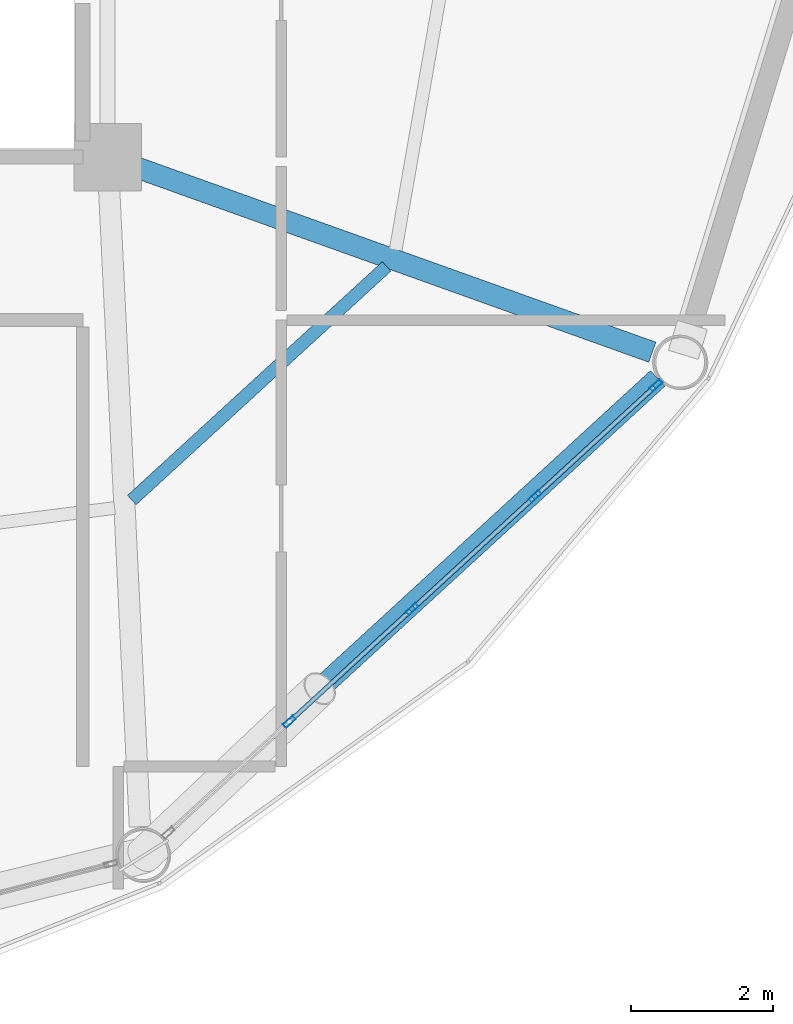
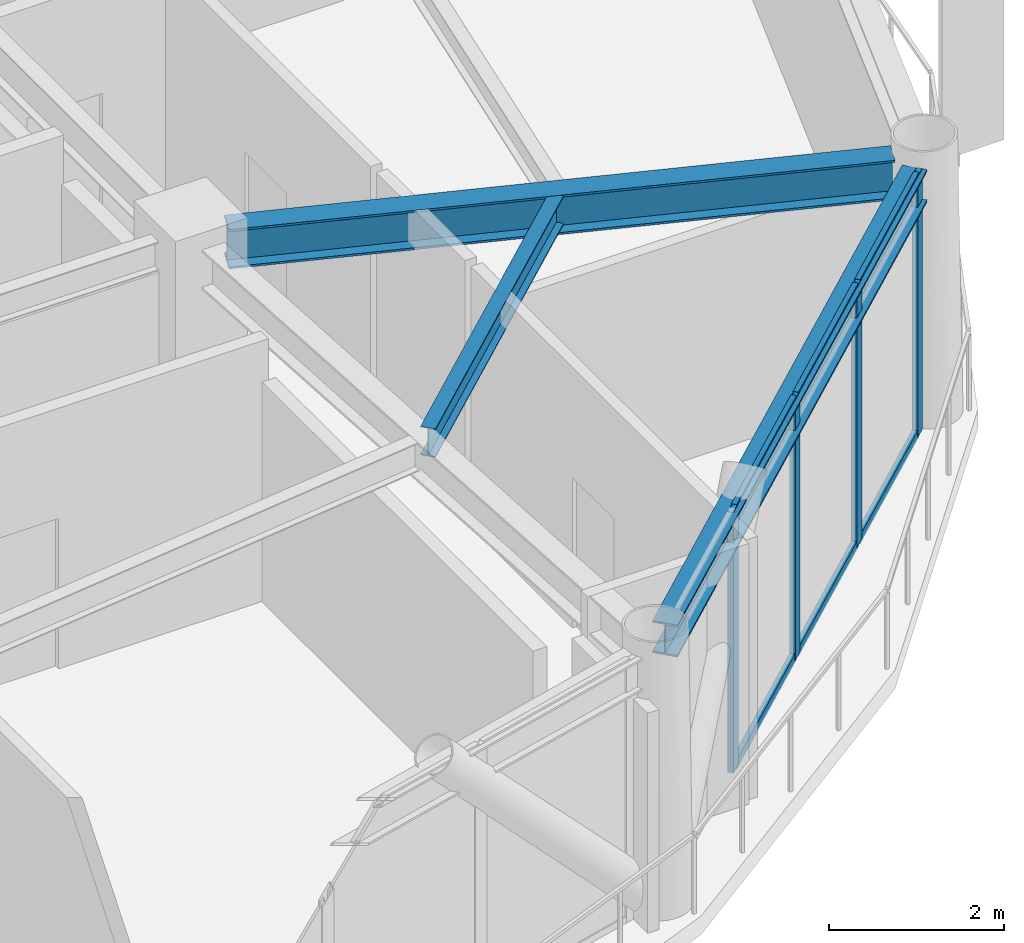
# One storey, part 13 of 25: 10 members, 3 beams, 1 element without a shape of its own.
"""IFC4 building model written with IfcOpenShell, lengths in metres."""

from ifc_helpers import new_model, si_unit, direction, frame, origin, origin_2d, place, context, subcontext, project, spatial, hollow_rectangle, i_section, extrude, material, layer, layer_set, material_profile, profile_set, type_object, element, aggregate, save


model = new_model("IFC4")

# Units and contexts
model_context = context("Model", 3, precision=1e-05, world=origin(), true_north=direction((0.0, 1.0)))
body_context = subcontext(model_context, "Body", "Model", "MODEL_VIEW")
ifc_project = project(units=[si_unit("LENGTHUNIT", "METRE"), si_unit("AREAUNIT", "SQUARE_METRE"), si_unit("VOLUMEUNIT", "CUBIC_METRE"), si_unit("PLANEANGLEUNIT", "RADIAN"), si_unit("MASSUNIT", "GRAM", prefix="KILO")], contexts=[model_context])

# Site, building, storey
site_placement = place(None, origin())
site = spatial("IfcSite", under=ifc_project, at=site_placement, CompositionType="ELEMENT")
building_placement = place(site_placement, origin())
building = spatial("IfcBuilding", under=site, at=building_placement, Name="Varnakorn Sky Granary", CompositionType="ELEMENT")
storey_placement = place(building_placement, frame((0.0, 0.0, 146.10009765625)))
storey = spatial("IfcBuildingStorey", under=building, at=storey_placement, Name="L36", CompositionType="ELEMENT", Elevation=146.10009765625)

# Beams
ifc_material_1 = material(Name="Steel S355JR", Category="steel")
ifc_material_profile_1 = material_profile(ifc_material_1, i_section(OverallWidth=0.300048828125, OverallDepth=0.550048828125, WebThickness=0.014892578125, FlangeThickness=0.029052734375, at=origin_2d()), Name="HE 550 B")
ifc_profile_set_1 = profile_set([ifc_material_profile_1], Name="Steel S355JR")
beam_type_1 = type_object("IfcBeamType", Name="BM-RAD-Z3", PredefinedType="BEAM", material=ifc_profile_set_1)
beam_1_placement = place(storey_placement, frame((8.745361328125, -6.74169921875, 3.364990234375), z_axis=(0.941449877469, -0.3371529745, 0.0), x_axis=(0.3371529745, 0.941449877469, 0.0)))
element("IfcBeam", 1, at=beam_1_placement, inside=storey, type_object=beam_type_1, Name="Radial Floor Girder RG12 L36", PredefinedType="BEAM", context=body_context, shape_type="SweptSolid", body=[
    extrude(i_section(OverallWidth=0.300048828125, OverallDepth=0.550048828125, WebThickness=0.014892578125, FlangeThickness=0.029052734375, at=origin_2d()), origin(), (0.0, 0.0, 1.0), 7.7451171875),
])
ifc_material_profile_2 = material_profile(ifc_material_1, i_section(OverallWidth=0.179931640625, OverallDepth=0.39990234375, WebThickness=0.008544921875, FlangeThickness=0.013427734375, at=origin_2d()), Name="IPE 400")
ifc_profile_set_2 = profile_set([ifc_material_profile_2], Name="Steel S355JR")
beam_type_2 = type_object("IfcBeamType", Name="BM-SEC-Z3", PredefinedType="BEAM", material=ifc_profile_set_2)
beam_2_placement = place(storey_placement, frame((8.69140625, -11.439208984375, 3.43994140625), z_axis=(0.737137524088, 0.675742754738, 0.0), x_axis=(-0.675742754738, 0.737137524088, 0.0)))
element("IfcBeam", 2, at=beam_2_placement, inside=storey, type_object=beam_type_2, Name="Secondary Floor Chord Beam MSB11 L36", PredefinedType="BEAM", context=body_context, shape_type="SweptSolid", body=[
    extrude(i_section(OverallWidth=0.179931640625, OverallDepth=0.39990234375, WebThickness=0.008544921875, FlangeThickness=0.013427734375, at=origin_2d()), origin(), (0.0, 0.0, 1.0), 4.879150390625),
])
ifc_material_profile_3 = material_profile(ifc_material_1, i_section(OverallWidth=0.300048828125, OverallDepth=0.449951171875, WebThickness=0.013916015625, FlangeThickness=0.02587890625, at=origin_2d()), Name="HE 450 B")
ifc_profile_set_3 = profile_set([ifc_material_profile_3], Name="Steel S355JR")
beam_type_3 = type_object("IfcBeamType", Name="BM-SPD-Z3", PredefinedType="SPANDREL", material=ifc_profile_set_3)
beam_3_placement = place(storey_placement, frame((9.093505859375, -16.166259765625, 3.414794921875), z_axis=(0.736711465157, 0.67620722941, 0.0), x_axis=(-0.67620722941, 0.736711465157, 0.0)))
element("IfcBeam", 3, at=beam_3_placement, inside=storey, type_object=beam_type_3, Name="Perimeter Spandrel Ring Beam RB11 L36", PredefinedType="SPANDREL", context=body_context, shape_type="SweptSolid", body=[
    extrude(i_section(OverallWidth=0.300048828125, OverallDepth=0.449951171875, WebThickness=0.013916015625, FlangeThickness=0.02587890625, at=origin_2d()), origin(), (0.0, 0.0, 1.0), 9.52685546875),
])

# Curtain wall, members
ifc_material_2 = material(Name="Anodised Bronze Aluminium Alloy 6063-T6", Category="aluminium")
ifc_layer = layer(ifc_material_2, 0.179931640625, Name="Anodised Bronze Aluminium Alloy 6063-T6")
ifc_layer_set = layer_set([ifc_layer], Name="Anodised Bronze Aluminium Alloy 6063-T6")
curtain_wall_type = type_object("IfcCurtainWallType", Name="CW-FRM-2", PredefinedType="USERDEFINED", material=ifc_layer_set)
curtain_wall_placement = place(storey_placement, origin())
curtain_wall = element("IfcCurtainWall", 4, at=curtain_wall_placement, inside=storey, type_object=curtain_wall_type, Name="Unitised Curtain Wall CW4 CW-L36-B11", ObjectType="CURTAIN WALL", PredefinedType="USERDEFINED")
ifc_material_profile_4 = material_profile(ifc_material_2, hollow_rectangle(XDim=0.070068359375, YDim=0.18505859375, WallThickness=0.00390625, at=origin_2d()), Name="ALU MULL 70x185")
ifc_profile_set_4 = profile_set([ifc_material_profile_4], Name="Anodised Bronze Aluminium Alloy 6063-T6")
member_type_1 = type_object("IfcMemberType", Name="CW-FRM-2-MULL", PredefinedType="MULLION", material=ifc_profile_set_4)
member_1_placement = place(storey_placement, frame((16.0888671875, -9.822265625, 0.0), z_axis=(0.0, 0.0, 1.0), x_axis=(0.675960473988, -0.736937879069, 0.0)))
member_1 = element("IfcMember", 5, at=member_1_placement, type_object=member_type_1, Name="CW4 mullion 1", PredefinedType="MULLION", context=body_context, shape_type="SweptSolid", body=[
    extrude(hollow_rectangle(XDim=0.070068359375, YDim=0.18505859375, WallThickness=0.00390625, at=origin_2d()), origin(), (0.0, 0.0, 1.0), 3.639892578125),
])
member_2_placement = place(storey_placement, frame((14.381591796875, -11.38818359375, 0.0), z_axis=(0.0, 0.0, 1.0), x_axis=(0.675960473988, -0.736937879069, 0.0)))
member_2 = element("IfcMember", 6, at=member_2_placement, type_object=member_type_1, Name="CW4 mullion 2", PredefinedType="MULLION", context=body_context, shape_type="SweptSolid", body=[
    extrude(hollow_rectangle(XDim=0.070068359375, YDim=0.18505859375, WallThickness=0.00390625, at=origin_2d()), origin(), (0.0, 0.0, 1.0), 3.639892578125),
])
member_3_placement = place(storey_placement, frame((12.648681640625, -12.977783203125, 0.0), z_axis=(0.0, 0.0, 1.0), x_axis=(0.675960473988, -0.736937879069, 0.0)))
member_3 = element("IfcMember", 7, at=member_3_placement, type_object=member_type_1, Name="CW4 mullion 3", PredefinedType="MULLION", context=body_context, shape_type="SweptSolid", body=[
    extrude(hollow_rectangle(XDim=0.070068359375, YDim=0.18505859375, WallThickness=0.00390625, at=origin_2d()), origin(), (0.0, 0.0, 1.0), 3.639892578125),
])
member_4_placement = place(storey_placement, frame((10.91552734375, -14.567626953125, 0.0), z_axis=(0.0, 0.0, 1.0), x_axis=(0.675960473988, -0.736937879069, 0.0)))
member_4 = element("IfcMember", 8, at=member_4_placement, type_object=member_type_1, Name="CW4 mullion 4", PredefinedType="MULLION", context=body_context, shape_type="SweptSolid", body=[
    extrude(hollow_rectangle(XDim=0.070068359375, YDim=0.18505859375, WallThickness=0.00390625, at=origin_2d()), origin(), (0.0, 0.0, 1.0), 3.639892578125),
])
ifc_material_profile_5 = material_profile(ifc_material_2, hollow_rectangle(XDim=0.06494140625, YDim=0.1201171875, WallThickness=0.00341796875, at=origin_2d()), Name="ALU TRAN 65x120")
ifc_profile_set_5 = profile_set([ifc_material_profile_5], Name="Anodised Bronze Aluminium Alloy 6063-T6")
member_type_2 = type_object("IfcMemberType", Name="CW-FRM-2-TRAN", PredefinedType="USERDEFINED", material=ifc_profile_set_5)
member_5_placement = place(storey_placement, frame((16.063232421875, -9.845947265625, 0.032470703125), z_axis=(-0.736982708945, -0.67591159682, 0.0), x_axis=(0.67591159682, -0.736982708945, 0.0)))
member_5 = element("IfcMember", 9, at=member_5_placement, type_object=member_type_2, Name="CW4 transom 1.1", ObjectType="TRANSOM", PredefinedType="USERDEFINED", context=body_context, shape_type="SweptSolid", body=[
    extrude(hollow_rectangle(XDim=0.06494140625, YDim=0.1201171875, WallThickness=0.00341796875, at=origin_2d()), origin(), (0.0, 0.0, 1.0), 2.24658203125),
])
member_6_placement = place(storey_placement, frame((16.063232421875, -9.845947265625, 3.607421875), z_axis=(-0.736982708945, -0.67591159682, 0.0), x_axis=(0.67591159682, -0.736982708945, 0.0)))
member_6 = element("IfcMember", 10, at=member_6_placement, type_object=member_type_2, Name="CW4 transom 1.2", ObjectType="TRANSOM", PredefinedType="USERDEFINED", context=body_context, shape_type="SweptSolid", body=[
    extrude(hollow_rectangle(XDim=0.06494140625, YDim=0.1201171875, WallThickness=0.00341796875, at=origin_2d()), origin(), (0.0, 0.0, 1.0), 2.24658203125),
])
member_7_placement = place(storey_placement, frame((14.35595703125, -11.411865234375, 0.032470703125), z_axis=(-0.736940932781, -0.675957144789, 0.0), x_axis=(0.675957144789, -0.736940932781, 0.0)))
member_7 = element("IfcMember", 11, at=member_7_placement, type_object=member_type_2, Name="CW4 transom 2.1", ObjectType="TRANSOM", PredefinedType="USERDEFINED", context=body_context, shape_type="SweptSolid", body=[
    extrude(hollow_rectangle(XDim=0.06494140625, YDim=0.1201171875, WallThickness=0.00341796875, at=origin_2d()), origin(), (0.0, 0.0, 1.0), 2.281982421875),
])
member_8_placement = place(storey_placement, frame((14.35595703125, -11.411865234375, 3.607421875), z_axis=(-0.736940932781, -0.675957144789, 0.0), x_axis=(0.675957144789, -0.736940932781, 0.0)))
member_8 = element("IfcMember", 12, at=member_8_placement, type_object=member_type_2, Name="CW4 transom 2.2", ObjectType="TRANSOM", PredefinedType="USERDEFINED", context=body_context, shape_type="SweptSolid", body=[
    extrude(hollow_rectangle(XDim=0.06494140625, YDim=0.1201171875, WallThickness=0.00341796875, at=origin_2d()), origin(), (0.0, 0.0, 1.0), 2.281982421875),
])
member_9_placement = place(storey_placement, frame((12.622802734375, -13.00146484375, 0.032470703125), z_axis=(-0.736892041746, -0.676010442827, 0.0), x_axis=(0.676010442827, -0.736892041746, 0.0)))
member_9 = element("IfcMember", 13, at=member_9_placement, type_object=member_type_2, Name="CW4 transom 3.1", ObjectType="TRANSOM", PredefinedType="USERDEFINED", context=body_context, shape_type="SweptSolid", body=[
    extrude(hollow_rectangle(XDim=0.06494140625, YDim=0.1201171875, WallThickness=0.00341796875, at=origin_2d()), origin(), (0.0, 0.0, 1.0), 2.28173828125),
])
member_10_placement = place(storey_placement, frame((12.622802734375, -13.00146484375, 3.607421875), z_axis=(-0.736892041746, -0.676010442827, 0.0), x_axis=(0.676010442827, -0.736892041746, 0.0)))
member_10 = element("IfcMember", 14, at=member_10_placement, type_object=member_type_2, Name="CW4 transom 3.2", ObjectType="TRANSOM", PredefinedType="USERDEFINED", context=body_context, shape_type="SweptSolid", body=[
    extrude(hollow_rectangle(XDim=0.06494140625, YDim=0.1201171875, WallThickness=0.00341796875, at=origin_2d()), origin(), (0.0, 0.0, 1.0), 2.28173828125),
])
aggregate(curtain_wall, [member_1, member_2, member_3, member_4, member_5, member_6, member_7, member_8, member_9, member_10])

save(model, "model.ifc")
